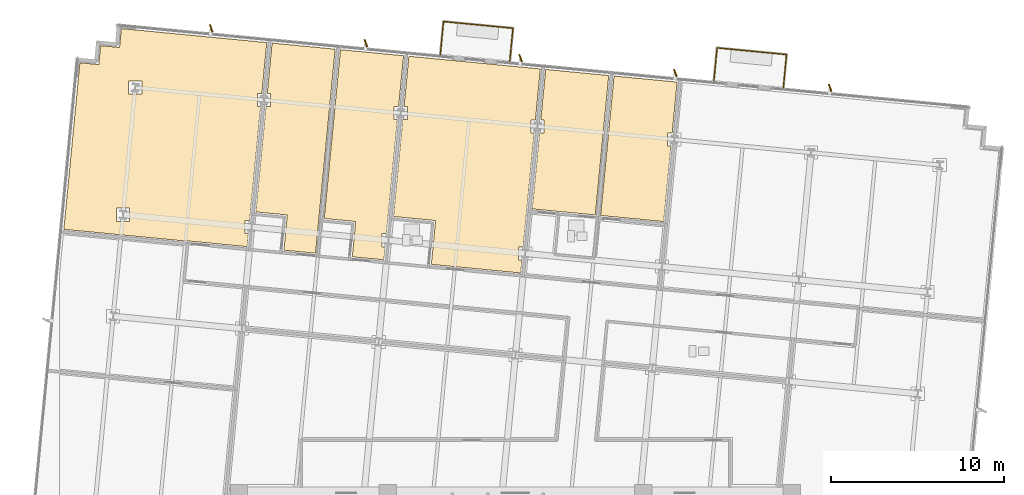
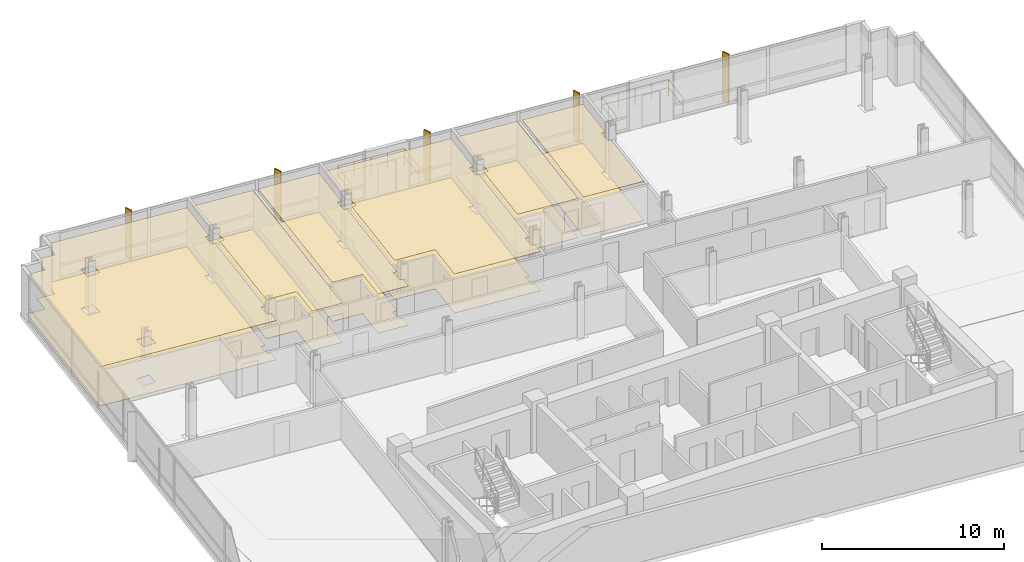
# One storey, part 16 of 17: 12 coverings, 6 railings, 5 shading devices.
"""IFC4 building model written with IfcOpenShell, lengths in metres."""

from ifc_helpers import new_model, si_unit, direction, frame, origin, origin_2d, place, context, subcontext, project, spatial, polyline, rectangle, circle, outline, extrude, material, layer, layer_set, type_object, element, save


model = new_model("IFC4")

# Units and contexts
model_context = context("Model", 3, precision=1e-05, world=origin(), true_north=direction((0.0, 1.0)))
body_context = subcontext(model_context, "Body", "Model", "MODEL_VIEW")
ifc_project = project(units=[si_unit("LENGTHUNIT", "METRE"), si_unit("AREAUNIT", "SQUARE_METRE"), si_unit("VOLUMEUNIT", "CUBIC_METRE"), si_unit("PLANEANGLEUNIT", "RADIAN"), si_unit("MASSUNIT", "GRAM", prefix="KILO")], contexts=[model_context])

# Site, building, storey
site_placement = place(None, origin())
site = spatial("IfcSite", under=ifc_project, at=site_placement, CompositionType="ELEMENT")
building_placement = place(site_placement, origin())
building = spatial("IfcBuilding", under=site, at=building_placement, Name="Solmavex Isthmus Hotel", CompositionType="ELEMENT")
storey_placement = place(building_placement, frame((0.0, 0.0, 153.14990234375)))
storey = spatial("IfcBuildingStorey", under=building, at=storey_placement, Name="L41", CompositionType="ELEMENT", Elevation=153.14990234375)

# Coverings
ifc_material_1 = material(Name="Gypsum plasterboard lining", Category="gypsum")
ifc_layer_1 = layer(ifc_material_1, 0.030029296875)
ifc_layer_set_1 = layer_set([ifc_layer_1], Name="Gypsum plasterboard lining")
covering_type_1 = type_object("IfcCoveringType", Name="COV-CEIL-GYP", PredefinedType="CEILING", material=ifc_layer_set_1)
covering_1_placement = place(storey_placement, frame((0.0, 0.0, 2.6201171875)))
element("IfcCovering", 1, at=covering_1_placement, inside=storey, type_object=covering_type_1, Name="Suspended Acoustic Ceiling L41-RM01", PredefinedType="CEILING", context=body_context, shape_type="SweptSolid", body=[
    extrude(outline(polyline([(-19.121337890625, 12.088623046875), (-19.119384765625, 12.1083984375), (-15.535888671875, 11.763427734375), (-15.463623046875, 12.51611328125), (-15.651123046875, 12.51611328125), (-15.651123046875, 13.276123046875), (-15.390380859375, 13.276123046875), (-14.755126953125, 19.874267578125), (-14.942626953125, 19.874267578125), (-14.942626953125, 20.63427734375), (-14.681884765625, 20.63427734375), (-14.3984375, 23.578857421875), (-21.99609375, 24.310302734375), (-22.8173828125, 24.389404296875), (-22.9228515625, 23.29443359375), (-24.017822265625, 23.39990234375), (-24.123291015625, 22.304931640625), (-25.218017578125, 22.410400390625), (-25.297119140625, 21.589111328125), (-26.14697265625, 12.764892578125), (-19.121337890625, 12.088623046875)]), holes=[polyline([(-22.396240234375, 20.591796875), (-22.396240234375, 21.351806640625), (-21.63623046875, 21.351806640625), (-21.63623046875, 20.591796875), (-22.396240234375, 20.591796875)]), polyline([(-23.104736328125, 13.23388671875), (-23.104736328125, 13.993896484375), (-22.3447265625, 13.993896484375), (-22.3447265625, 13.23388671875), (-23.104736328125, 13.23388671875)])]), origin(), (0.0, 0.0, 1.0), 0.030029296875),
])
covering_2_placement = place(storey_placement, frame((0.0, 0.0, 2.6201171875)))
element("IfcCovering", 2, at=covering_2_placement, inside=storey, type_object=covering_type_1, Name="Suspended Acoustic Ceiling L41-RM02", PredefinedType="CEILING", context=body_context, shape_type="SweptSolid", body=[
    extrude(outline(polyline([(-14.370361328125, 20.63427734375), (-14.1826171875, 20.63427734375), (-14.1826171875, 19.874267578125), (-14.443603515625, 19.874267578125), (-15.031005859375, 13.774169921875), (-13.20947265625, 13.598876953125), (-13.406005859375, 11.558349609375), (-11.576416015625, 11.382080078125), (-10.438720703125, 23.197509765625), (-14.08984375, 23.549072265625), (-14.370361328125, 20.63427734375)])), origin(), (0.0, 0.0, 1.0), 0.030029296875),
])
covering_3_placement = place(storey_placement, frame((0.0, 0.0, 2.6201171875)))
element("IfcCovering", 3, at=covering_3_placement, inside=storey, type_object=covering_type_1, Name="Suspended Acoustic Ceiling L41-RM03", PredefinedType="CEILING", context=body_context, shape_type="SweptSolid", body=[
    extrude(outline(polyline([(-6.835693359375, 19.111572265625), (-7.0234375, 19.111572265625), (-7.0234375, 19.87158203125), (-6.762451171875, 19.87158203125), (-6.47900390625, 22.816162109375), (-10.130126953125, 23.167724609375), (-11.0712890625, 13.39306640625), (-9.249755859375, 13.217529296875), (-9.4462890625, 11.177001953125), (-7.61669921875, 11.000732421875), (-7.544189453125, 11.753662109375), (-7.73193359375, 11.753662109375), (-7.73193359375, 12.513671875), (-7.470947265625, 12.513671875), (-6.835693359375, 19.111572265625)])), origin(), (0.0, 0.0, 1.0), 0.030029296875),
])
covering_4_placement = place(storey_placement, frame((0.0, 0.0, 2.6201171875)))
element("IfcCovering", 4, at=covering_4_placement, inside=storey, type_object=covering_type_1, Name="Suspended Acoustic Ceiling L41-RM04", PredefinedType="CEILING", context=body_context, shape_type="SweptSolid", body=[
    extrude(outline(polyline([(-6.450927734375, 19.87158203125), (-6.263427734375, 19.87158203125), (-6.263427734375, 19.111572265625), (-6.524169921875, 19.111572265625), (-7.0146484375, 14.017822265625), (-7.063720703125, 13.50927734375), (-4.625, 13.274658203125), (-4.869384765625, 10.736328125), (0.302734375, 10.23828125), (0.375244140625, 10.9912109375), (0.1875, 10.9912109375), (0.1875, 11.751220703125), (0.448486328125, 11.751220703125), (1.083740234375, 18.34912109375), (0.89599609375, 18.34912109375), (0.89599609375, 19.109130859375), (1.156982421875, 19.109130859375), (1.4404296875, 22.0537109375), (-6.17041015625, 22.786376953125), (-6.450927734375, 19.87158203125)])), origin(), (0.0, 0.0, 1.0), 0.030029296875),
])
covering_5_placement = place(storey_placement, frame((0.0, 0.0, 2.6201171875)))
element("IfcCovering", 5, at=covering_5_placement, inside=storey, type_object=covering_type_1, Name="Suspended Acoustic Ceiling L41-TB05", PredefinedType="CEILING", context=body_context, shape_type="SweptSolid", body=[
    extrude(outline(polyline([(1.46826171875, 19.109130859375), (1.656005859375, 19.109130859375), (1.656005859375, 18.34912109375), (1.395263671875, 18.34912109375), (0.971435546875, 13.94921875), (4.62255859375, 13.59765625), (5.400146484375, 21.67236328125), (1.7490234375, 22.02392578125), (1.46826171875, 19.109130859375)])), origin(), (0.0, 0.0, 1.0), 0.030029296875),
])
covering_6_placement = place(storey_placement, frame((0.0, 0.0, 2.6201171875)))
element("IfcCovering", 6, at=covering_6_placement, inside=storey, type_object=covering_type_1, Name="Suspended Acoustic Ceiling L41-TL05", PredefinedType="CEILING", context=body_context, shape_type="SweptSolid", body=[
    extrude(outline(polyline([(9.003173828125, 17.586669921875), (8.8154296875, 17.586669921875), (8.8154296875, 18.346435546875), (9.076171875, 18.346435546875), (9.35986328125, 21.291015625), (5.708740234375, 21.642578125), (4.93115234375, 13.568115234375), (8.582275390625, 13.216552734375), (9.003173828125, 17.586669921875)])), origin(), (0.0, 0.0, 1.0), 0.030029296875),
])
ifc_material_2 = material(Name="Travertine natural stone", Category="masonry")
ifc_layer_2 = layer(ifc_material_2, 0.02490234375)
ifc_layer_set_2 = layer_set([ifc_layer_2], Name="Travertine natural stone")
covering_type_2 = type_object("IfcCoveringType", Name="COV-FLOR-STN", PredefinedType="FLOORING", material=ifc_layer_set_2)
covering_7_placement = place(storey_placement, origin())
element("IfcCovering", 7, at=covering_7_placement, inside=storey, type_object=covering_type_2, Name="Stone and Timber Floor Finish L41-RM01", PredefinedType="FLOORING", context=body_context, shape_type="SweptSolid", body=[
    extrude(outline(polyline([(-19.121337890625, 12.088623046875), (-19.119384765625, 12.1083984375), (-15.535888671875, 11.763427734375), (-15.463623046875, 12.51611328125), (-15.651123046875, 12.51611328125), (-15.651123046875, 13.276123046875), (-15.390380859375, 13.276123046875), (-14.755126953125, 19.874267578125), (-14.942626953125, 19.874267578125), (-14.942626953125, 20.63427734375), (-14.681884765625, 20.63427734375), (-14.3984375, 23.578857421875), (-21.99609375, 24.310302734375), (-22.8173828125, 24.389404296875), (-22.9228515625, 23.29443359375), (-24.017822265625, 23.39990234375), (-24.123291015625, 22.304931640625), (-25.218017578125, 22.410400390625), (-25.297119140625, 21.589111328125), (-26.14697265625, 12.764892578125), (-19.121337890625, 12.088623046875)]), holes=[polyline([(-22.396240234375, 20.591796875), (-22.396240234375, 21.351806640625), (-21.63623046875, 21.351806640625), (-21.63623046875, 20.591796875), (-22.396240234375, 20.591796875)]), polyline([(-23.104736328125, 13.23388671875), (-23.104736328125, 13.993896484375), (-22.3447265625, 13.993896484375), (-22.3447265625, 13.23388671875), (-23.104736328125, 13.23388671875)])]), origin(), (0.0, 0.0, 1.0), 0.025146484375),
])
covering_8_placement = place(storey_placement, origin())
element("IfcCovering", 8, at=covering_8_placement, inside=storey, type_object=covering_type_2, Name="Stone and Timber Floor Finish L41-RM02", PredefinedType="FLOORING", context=body_context, shape_type="SweptSolid", body=[
    extrude(outline(polyline([(-14.370361328125, 20.63427734375), (-14.1826171875, 20.63427734375), (-14.1826171875, 19.874267578125), (-14.443603515625, 19.874267578125), (-15.031005859375, 13.774169921875), (-13.20947265625, 13.598876953125), (-13.406005859375, 11.558349609375), (-11.576416015625, 11.382080078125), (-10.438720703125, 23.197509765625), (-14.08984375, 23.549072265625), (-14.370361328125, 20.63427734375)])), origin(), (0.0, 0.0, 1.0), 0.025146484375),
])
covering_9_placement = place(storey_placement, origin())
element("IfcCovering", 9, at=covering_9_placement, inside=storey, type_object=covering_type_2, Name="Stone and Timber Floor Finish L41-RM03", PredefinedType="FLOORING", context=body_context, shape_type="SweptSolid", body=[
    extrude(outline(polyline([(-6.835693359375, 19.111572265625), (-7.0234375, 19.111572265625), (-7.0234375, 19.87158203125), (-6.762451171875, 19.87158203125), (-6.47900390625, 22.816162109375), (-10.130126953125, 23.167724609375), (-11.0712890625, 13.39306640625), (-9.249755859375, 13.217529296875), (-9.4462890625, 11.177001953125), (-7.61669921875, 11.000732421875), (-7.544189453125, 11.753662109375), (-7.73193359375, 11.753662109375), (-7.73193359375, 12.513671875), (-7.470947265625, 12.513671875), (-6.835693359375, 19.111572265625)])), origin(), (0.0, 0.0, 1.0), 0.025146484375),
])
covering_10_placement = place(storey_placement, origin())
element("IfcCovering", 10, at=covering_10_placement, inside=storey, type_object=covering_type_2, Name="Stone and Timber Floor Finish L41-RM04", PredefinedType="FLOORING", context=body_context, shape_type="SweptSolid", body=[
    extrude(outline(polyline([(-6.450927734375, 19.87158203125), (-6.263427734375, 19.87158203125), (-6.263427734375, 19.111572265625), (-6.524169921875, 19.111572265625), (-7.0146484375, 14.017822265625), (-7.063720703125, 13.50927734375), (-4.625, 13.274658203125), (-4.869384765625, 10.736328125), (0.302734375, 10.23828125), (0.375244140625, 10.9912109375), (0.1875, 10.9912109375), (0.1875, 11.751220703125), (0.448486328125, 11.751220703125), (1.083740234375, 18.34912109375), (0.89599609375, 18.34912109375), (0.89599609375, 19.109130859375), (1.156982421875, 19.109130859375), (1.4404296875, 22.0537109375), (-6.17041015625, 22.786376953125), (-6.450927734375, 19.87158203125)])), origin(), (0.0, 0.0, 1.0), 0.025146484375),
])
covering_11_placement = place(storey_placement, origin())
element("IfcCovering", 11, at=covering_11_placement, inside=storey, type_object=covering_type_2, Name="Stone and Timber Floor Finish L41-TB05", PredefinedType="FLOORING", context=body_context, shape_type="SweptSolid", body=[
    extrude(outline(polyline([(1.46826171875, 19.109130859375), (1.656005859375, 19.109130859375), (1.656005859375, 18.34912109375), (1.395263671875, 18.34912109375), (0.971435546875, 13.94921875), (4.62255859375, 13.59765625), (5.400146484375, 21.67236328125), (1.7490234375, 22.02392578125), (1.46826171875, 19.109130859375)])), origin(), (0.0, 0.0, 1.0), 0.025146484375),
])
covering_12_placement = place(storey_placement, origin())
element("IfcCovering", 12, at=covering_12_placement, inside=storey, type_object=covering_type_2, Name="Stone and Timber Floor Finish L41-TL05", PredefinedType="FLOORING", context=body_context, shape_type="SweptSolid", body=[
    extrude(outline(polyline([(9.003173828125, 17.586669921875), (8.8154296875, 17.586669921875), (8.8154296875, 18.346435546875), (9.076171875, 18.346435546875), (9.35986328125, 21.291015625), (5.708740234375, 21.642578125), (4.93115234375, 13.568115234375), (8.582275390625, 13.216552734375), (9.003173828125, 17.586669921875)])), origin(), (0.0, 0.0, 1.0), 0.025146484375),
])

# Railings
ifc_material_3 = material(Name="Clear low-E laminated glass", Category="glass")
ifc_layer_3 = layer(ifc_material_3, 0.070068359375)
ifc_layer_set_3 = layer_set([ifc_layer_3], Name="Clear low-E laminated glass")
railing_type = type_object("IfcRailingType", Name="RAIL-GUARD-1100", PredefinedType="BALUSTRADE", material=ifc_layer_set_3)
railing_1_placement = place(storey_placement, frame((-4.349365234375, 22.887451171875, 0.0)))
element("IfcRailing", 13, at=railing_1_placement, inside=storey, type_object=railing_type, Name="Guardrail Balustrade L41-BAL1-01", PredefinedType="BALUSTRADE", context=body_context, shape_type="SweptSolid", body=[
    extrude(circle(Radius=0.02392578125, at=origin_2d()), frame((0.0, 0.0, 1.09619140625), z_axis=(0.095877165628, 0.995393173129, 0.0), x_axis=(-0.995393173129, 0.095877165628, 0.0)), (0.0, 0.0, 1.0), 1.919921875),
    extrude(circle(Radius=0.02392578125, at=origin_2d()), frame((0.0, 0.0, 0.56005859375), z_axis=(0.095877165628, 0.995393173129, 0.0), x_axis=(-0.995393173129, 0.095877165628, 0.0)), (0.0, 0.0, 1.0), 1.919921875),
    extrude(circle(Radius=0.02099609375, at=origin_2d()), origin(), (0.0, 0.0, 1.0), 1.072021484375),
    extrude(circle(Radius=0.02099609375, at=origin_2d()), frame((0.092041015625, 0.95556640625, 0.0)), (0.0, 0.0, 1.0), 1.072021484375),
    extrude(circle(Radius=0.02099609375, at=origin_2d()), frame((0.18408203125, 1.9111328125, 0.0)), (0.0, 0.0, 1.0), 1.072021484375),
])
railing_2_placement = place(storey_placement, frame((-4.165283203125, 24.798583984375, 0.0)))
element("IfcRailing", 14, at=railing_2_placement, inside=storey, type_object=railing_type, Name="Guardrail Balustrade L41-BAL1-02", PredefinedType="BALUSTRADE", context=body_context, shape_type="SweptSolid", body=[
    extrude(circle(Radius=0.02392578125, at=origin_2d()), frame((0.0, 0.0, 1.09619140625), z_axis=(0.995396620385, -0.095841369593, 0.0), x_axis=(0.095841369593, 0.995396620385, 0.0)), (0.0, 0.0, 1.0), 4.0400390625),
    extrude(circle(Radius=0.02392578125, at=origin_2d()), frame((0.0, 0.0, 0.56005859375), z_axis=(0.995396620385, -0.095841369593, 0.0), x_axis=(0.095841369593, 0.995396620385, 0.0)), (0.0, 0.0, 1.0), 4.0400390625),
    extrude(circle(Radius=0.02099609375, at=origin_2d()), origin(), (0.0, 0.0, 1.0), 1.072021484375),
    extrude(circle(Radius=0.02099609375, at=origin_2d()), frame((1.00537109375, -0.0966796875, 0.0)), (0.0, 0.0, 1.0), 1.072021484375),
    extrude(circle(Radius=0.02099609375, at=origin_2d()), frame((2.0107421875, -0.193603515625, 0.0)), (0.0, 0.0, 1.0), 1.072021484375),
    extrude(circle(Radius=0.02099609375, at=origin_2d()), frame((3.01611328125, -0.29052734375, 0.0)), (0.0, 0.0, 1.0), 1.072021484375),
    extrude(circle(Radius=0.02099609375, at=origin_2d()), frame((4.021484375, -0.38720703125, 0.0)), (0.0, 0.0, 1.0), 1.072021484375),
])
railing_3_placement = place(storey_placement, frame((-0.143798828125, 24.411376953125, 0.0)))
element("IfcRailing", 15, at=railing_3_placement, inside=storey, type_object=railing_type, Name="Guardrail Balustrade L41-BAL1-03", PredefinedType="BALUSTRADE", context=body_context, shape_type="SweptSolid", body=[
    extrude(circle(Radius=0.02392578125, at=origin_2d()), frame((0.0, 0.0, 1.09619140625), z_axis=(-0.095877165628, -0.995393173129, 0.0), x_axis=(0.995393173129, -0.095877165628, 0.0)), (0.0, 0.0, 1.0), 1.919921875),
    extrude(circle(Radius=0.02392578125, at=origin_2d()), frame((0.0, 0.0, 0.56005859375), z_axis=(-0.095877165628, -0.995393173129, 0.0), x_axis=(0.995393173129, -0.095877165628, 0.0)), (0.0, 0.0, 1.0), 1.919921875),
    extrude(circle(Radius=0.02099609375, at=origin_2d()), origin(), (0.0, 0.0, 1.0), 1.072021484375),
    extrude(circle(Radius=0.02099609375, at=origin_2d()), frame((-0.092041015625, -0.95556640625, 0.0)), (0.0, 0.0, 1.0), 1.072021484375),
    extrude(circle(Radius=0.02099609375, at=origin_2d()), frame((-0.18408203125, -1.9111328125, 0.0)), (0.0, 0.0, 1.0), 1.072021484375),
])
railing_4_placement = place(storey_placement, frame((11.489501953125, 21.3623046875, 0.0)))
element("IfcRailing", 16, at=railing_4_placement, inside=storey, type_object=railing_type, Name="Guardrail Balustrade L41-BAL2-01", PredefinedType="BALUSTRADE", context=body_context, shape_type="SweptSolid", body=[
    extrude(circle(Radius=0.02392578125, at=origin_2d()), frame((0.0, 0.0, 1.09619140625), z_axis=(0.095751174172, 0.995405300691, 0.0), x_axis=(-0.995405300691, 0.095751174172, 0.0)), (0.0, 0.0, 1.0), 1.919921875),
    extrude(circle(Radius=0.02392578125, at=origin_2d()), frame((0.0, 0.0, 0.56005859375), z_axis=(0.095751174172, 0.995405300691, 0.0), x_axis=(-0.995405300691, 0.095751174172, 0.0)), (0.0, 0.0, 1.0), 1.919921875),
    extrude(circle(Radius=0.02099609375, at=origin_2d()), origin(), (0.0, 0.0, 1.0), 1.072021484375),
    extrude(circle(Radius=0.02099609375, at=origin_2d()), frame((0.091796875, 0.95556640625, 0.0)), (0.0, 0.0, 1.0), 1.072021484375),
    extrude(circle(Radius=0.02099609375, at=origin_2d()), frame((0.183837890625, 1.9111328125, 0.0)), (0.0, 0.0, 1.0), 1.072021484375),
])
railing_5_placement = place(storey_placement, frame((11.67333984375, 23.2734375, 0.0)))
element("IfcRailing", 17, at=railing_5_placement, inside=storey, type_object=railing_type, Name="Guardrail Balustrade L41-BAL2-02", PredefinedType="BALUSTRADE", context=body_context, shape_type="SweptSolid", body=[
    extrude(circle(Radius=0.02392578125, at=origin_2d()), frame((0.0, 0.0, 1.09619140625), z_axis=(0.995396620385, -0.095841369593, 0.0), x_axis=(0.095841369593, 0.995396620385, 0.0)), (0.0, 0.0, 1.0), 4.0400390625),
    extrude(circle(Radius=0.02392578125, at=origin_2d()), frame((0.0, 0.0, 0.56005859375), z_axis=(0.995396620385, -0.095841369593, 0.0), x_axis=(0.095841369593, 0.995396620385, 0.0)), (0.0, 0.0, 1.0), 4.0400390625),
    extrude(circle(Radius=0.02099609375, at=origin_2d()), origin(), (0.0, 0.0, 1.0), 1.072021484375),
    extrude(circle(Radius=0.02099609375, at=origin_2d()), frame((1.00537109375, -0.0966796875, 0.0)), (0.0, 0.0, 1.0), 1.072021484375),
    extrude(circle(Radius=0.02099609375, at=origin_2d()), frame((2.0107421875, -0.193603515625, 0.0)), (0.0, 0.0, 1.0), 1.072021484375),
    extrude(circle(Radius=0.02099609375, at=origin_2d()), frame((3.01611328125, -0.29052734375, 0.0)), (0.0, 0.0, 1.0), 1.072021484375),
    extrude(circle(Radius=0.02099609375, at=origin_2d()), frame((4.021484375, -0.38720703125, 0.0)), (0.0, 0.0, 1.0), 1.072021484375),
])
railing_6_placement = place(storey_placement, frame((15.69482421875, 22.88623046875, 0.0)))
element("IfcRailing", 18, at=railing_6_placement, inside=storey, type_object=railing_type, Name="Guardrail Balustrade L41-BAL2-03", PredefinedType="BALUSTRADE", context=body_context, shape_type="SweptSolid", body=[
    extrude(circle(Radius=0.02392578125, at=origin_2d()), frame((0.0, 0.0, 1.09619140625), z_axis=(-0.095877165628, -0.995393173129, 0.0), x_axis=(0.995393173129, -0.095877165628, 0.0)), (0.0, 0.0, 1.0), 1.919921875),
    extrude(circle(Radius=0.02392578125, at=origin_2d()), frame((0.0, 0.0, 0.56005859375), z_axis=(-0.095877165628, -0.995393173129, 0.0), x_axis=(0.995393173129, -0.095877165628, 0.0)), (0.0, 0.0, 1.0), 1.919921875),
    extrude(circle(Radius=0.02099609375, at=origin_2d()), origin(), (0.0, 0.0, 1.0), 1.072021484375),
    extrude(circle(Radius=0.02099609375, at=origin_2d()), frame((-0.092041015625, -0.95556640625, 0.0)), (0.0, 0.0, 1.0), 1.072021484375),
    extrude(circle(Radius=0.02099609375, at=origin_2d()), frame((-0.18408203125, -1.9111328125, 0.0)), (0.0, 0.0, 1.0), 1.072021484375),
])

# Shading devices
ifc_material_4 = material(Name="Aluminium alloy 6063-T6", Category="aluminium")
shading_device_type = type_object("IfcShadingDeviceType", Name="SHD-FIN-BRONZE", PredefinedType="USERDEFINED", material=ifc_material_4)
for number, where, z_axis, x_axis, name in (
    (19, (-17.616943359375, 24.406005859375, -0.139892578125), (0.0, 0.0, 1.0), (-0.350207381259, 0.936672189248, 0.0), "Anodised Aluminium Solar Fin L41-N1"),
    (20, (-8.658203125, 23.54345703125, -0.139892578125), (0.0, 0.0, 1.0), (-0.350207381259, 0.936672189248, 0.0), "Anodised Aluminium Solar Fin L41-N2"),
    (21, (0.30029296875, 22.680908203125, -0.139892578125), (0.0, 0.0, 1.0), (-0.350207381259, 0.936672189248, 0.0), "Anodised Aluminium Solar Fin L41-N3"),
    (22, (9.2587890625, 21.818115234375, -0.139892578125), (0.0, 0.0, 1.0), (-0.350207381259, 0.936672189248, 0.0), "Anodised Aluminium Solar Fin L41-N4"),
    (23, (18.217529296875, 20.95556640625, -0.139892578125), (0.0, 0.0, 1.0), (-0.350207381259, 0.936672189248, 0.0), "Anodised Aluminium Solar Fin L41-N5"),
):
    element("IfcShadingDevice", number, at=place(storey_placement, frame(where, z_axis=z_axis, x_axis=x_axis)), inside=storey, type_object=shading_device_type, Name=name, ObjectType="SOLAR_FIN", PredefinedType="USERDEFINED", context=body_context, shape_type="SweptSolid", body=[
        extrude(rectangle(XDim=0.449951171875, YDim=0.080078125, at=origin_2d()), origin(), (0.0, 0.0, 1.0), 3.330078125),
    ])

save(model, "model.ifc")
